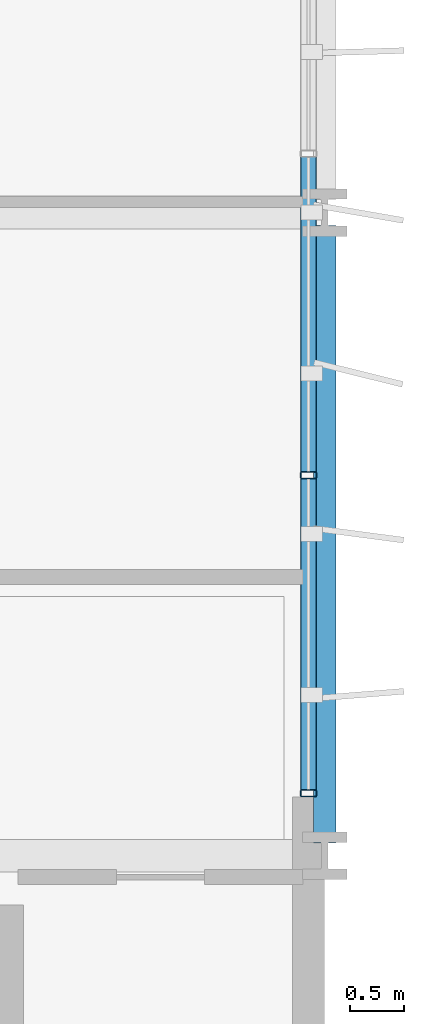
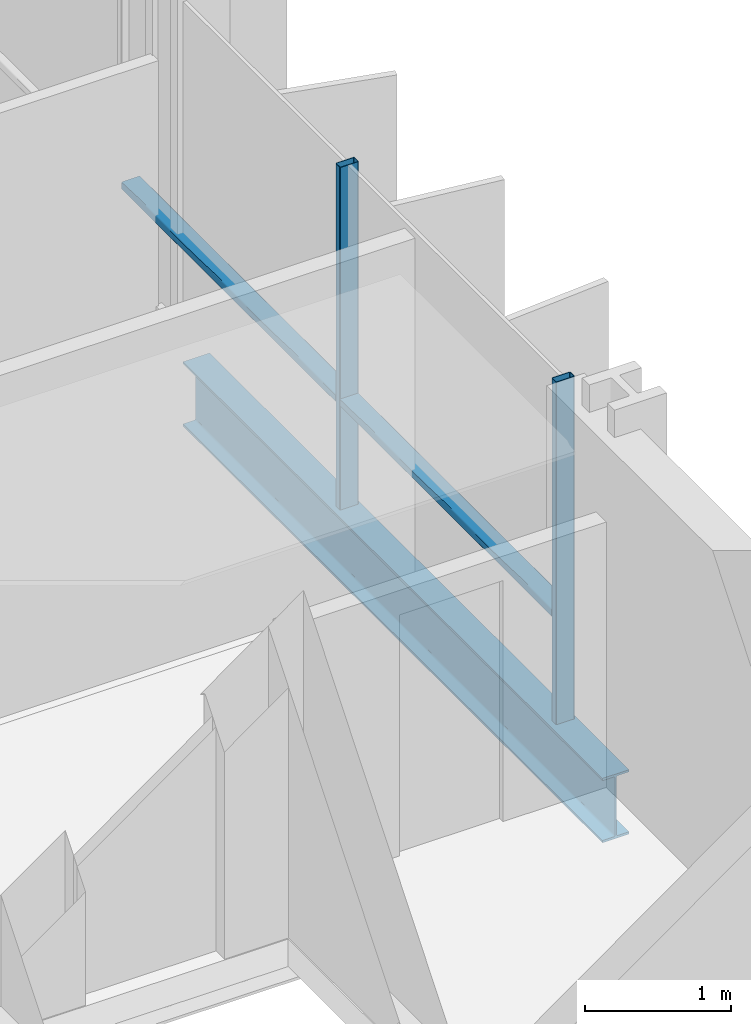
# One storey, part 15 of 38: 4 members, 1 beam, 1 element without a shape of its own.
"""IFC4 building model written with IfcOpenShell, lengths in metres."""

import ifcopenshell
import ifcopenshell.guid

model = None  # the IFC model being written
_history = None  # IfcOwnerHistory: only IFC2X3 demands one
_inside = {}  # id of a spatial element -> (the spatial element, [elements in it])
_under = {}  # id of a project, library or spatial element -> (it, [spatial elements below it])
_declared = {}  # id of a project -> (the project, [libraries it declares])
_typed = {}  # id of a type object -> (the type object, [elements of that type])
_made_of = {}  # id of a material, layer set ... -> (it, [elements and type objects made of it])


def new_model(schema):
    """Start an empty IFC model of exactly this schema.

    Asked for "IFC4X3", IfcOpenShell would pick the latest addendum, in which some entities
    have other attributes; the version numbers below select the first issue.
    IFC2X3 requires an IfcOwnerHistory on every rooted entity: one is made here for all.
    """
    global model, _history
    if schema == "IFC4X3":
        model = ifcopenshell.file(schema_version=(4, 3, 0, 0))
    else:
        model = ifcopenshell.file(schema=schema)
    _inside.clear()
    _under.clear()
    _declared.clear()
    _typed.clear()
    _made_of.clear()
    _history = None
    if model.schema == "IFC2X3":
        org = make("IfcOrganization", Name="unknown")
        user = make(
            "IfcPersonAndOrganization",
            ThePerson=make("IfcPerson", FamilyName="unknown"),
            TheOrganization=org,
        )
        app = make(
            "IfcApplication",
            ApplicationDeveloper=org,
            Version="unknown",
            ApplicationFullName="unknown",
            ApplicationIdentifier="unknown",
        )
        _history = make(
            "IfcOwnerHistory",
            OwningUser=user,
            OwningApplication=app,
            ChangeAction="ADDED",
            CreationDate=0,
        )
    return model


def make(cls, **values):
    """One entity of the class cls with the attributes given. An attribute that is None is left unset."""
    return model.create_entity(
        cls, **{name: value for name, value in values.items() if value is not None}
    )


def rooted(cls, **values):
    """An entity with a GlobalId (a new one), such as an element, a storey or a relation."""
    return make(cls, GlobalId=ifcopenshell.guid.new(), OwnerHistory=_history, **values)


def si_unit(unit_type, name, prefix=None):
    """IfcSIUnit, for example si_unit("LENGTHUNIT", "METRE", prefix="MILLI")."""
    return make("IfcSIUnit", UnitType=unit_type, Prefix=prefix, Name=name)


def assignment(units):
    """IfcUnitAssignment: the units of a project."""
    return None if units is None else make("IfcUnitAssignment", Units=units)


def point(xyz):
    """IfcCartesianPoint."""
    return None if xyz is None else make("IfcCartesianPoint", Coordinates=xyz)


def direction(xyz):
    """IfcDirection."""
    return None if xyz is None else make("IfcDirection", DirectionRatios=xyz)


def frame(location, z_axis=None, x_axis=None):
    """IfcAxis2Placement3D, a coordinate frame: its origin and axes. An axis left out is left unset."""
    return make(
        "IfcAxis2Placement3D",
        Location=point(location),
        Axis=direction(z_axis),
        RefDirection=direction(x_axis),
    )


def frame_2d(location, x_axis=None):
    """IfcAxis2Placement2D, a coordinate frame in the plane: its origin and x axis."""
    return make(
        "IfcAxis2Placement2D", Location=point(location), RefDirection=direction(x_axis)
    )


def origin():
    """The frame at (0, 0, 0) with its axes left unset."""
    return frame((0.0, 0.0, 0.0))


def origin_2d():
    """The frame at (0, 0) in the plane with its x axis left unset."""
    return frame_2d((0.0, 0.0))


def place(relative_to, where):
    """IfcLocalPlacement: puts the frame where relative to a parent placement (None: the world)."""
    return make(
        "IfcLocalPlacement", PlacementRelTo=relative_to, RelativePlacement=where
    )


def context(
    kind, dimensions, precision=None, world=None, true_north=None, identifier=None
):
    """IfcGeometricRepresentationContext, for example the 3D "Model" context."""
    return make(
        "IfcGeometricRepresentationContext",
        ContextIdentifier=identifier,
        ContextType=kind,
        CoordinateSpaceDimension=dimensions,
        Precision=precision,
        WorldCoordinateSystem=world,
        TrueNorth=true_north,
    )


def subcontext(parent, identifier, kind, view, scale=None):
    """IfcGeometricRepresentationSubContext, for example "Body" below "Model"."""
    return make(
        "IfcGeometricRepresentationSubContext",
        ContextIdentifier=identifier,
        ContextType=kind,
        ParentContext=parent,
        TargetScale=scale,
        TargetView=view,
    )


def project(units=None, contexts=None):
    """IfcProject with its units and contexts."""
    return rooted(
        "IfcProject",
        Name="project",
        RepresentationContexts=contexts,
        UnitsInContext=assignment(units),
    )


def spatial(cls, under=None, at=None, **own):
    """A site, building, storey or space (cls), placed at a placement, below another one or the project."""
    s = rooted(cls, ObjectPlacement=at, **own)
    if under is not None:
        _under.setdefault(under.id(), (under, []))[1].append(s)
    return s


def profile(cls, at=None, kind="AREA", **sizes):
    """A parametric profile (cls). Its sizes go by their IFC names, for example OverallWidth=200.0."""
    return make(cls, ProfileType=kind, Position=at, **sizes)


def hollow_rectangle(**sizes):
    """IfcRectangleHollowProfileDef."""
    return profile("IfcRectangleHollowProfileDef", **sizes)


def i_section(**sizes):
    """IfcIShapeProfileDef."""
    return profile("IfcIShapeProfileDef", **sizes)


def extrude(swept, where, along, depth):
    """IfcExtrudedAreaSolid: the profile swept, set in the frame where, extruded along a direction by depth."""
    return make(
        "IfcExtrudedAreaSolid",
        SweptArea=swept,
        Position=where,
        ExtrudedDirection=direction(along),
        Depth=depth,
    )


def shape(context_of_items, identifier, shape_type, items):
    """IfcShapeRepresentation: the items that make up one representation, for example the "Body"."""
    return make(
        "IfcShapeRepresentation",
        ContextOfItems=context_of_items,
        RepresentationIdentifier=identifier,
        RepresentationType=shape_type,
        Items=items,
    )


def material(Name=None, Category=None):
    """IfcMaterial."""
    return make("IfcMaterial", Name=Name, Category=Category)


def layer(
    of_material, thickness, ventilated=None, Name=None, Category=None, Priority=None
):
    """IfcMaterialLayer: one layer of a wall or slab, of a material (None: an air gap)."""
    return make(
        "IfcMaterialLayer",
        Material=of_material,
        LayerThickness=thickness,
        IsVentilated=ventilated,
        Name=Name,
        Category=Category,
        Priority=Priority,
    )


def layer_set(layers, Name=None):
    """IfcMaterialLayerSet."""
    return make("IfcMaterialLayerSet", MaterialLayers=layers, LayerSetName=Name)


def material_profile(
    of_material, cross_section, Name=None, Category=None, Priority=None
):
    """IfcMaterialProfile: a cross section and its material."""
    return make(
        "IfcMaterialProfile",
        Name=Name,
        Material=of_material,
        Profile=cross_section,
        Priority=Priority,
        Category=Category,
    )


def profile_set(profiles, Name=None, composite=None):
    """IfcMaterialProfileSet."""
    return make(
        "IfcMaterialProfileSet",
        Name=Name,
        MaterialProfiles=profiles,
        CompositeProfile=composite,
    )


def made_of(thing, what):
    """Note that an element or type object is made of a material, layer set ...; save() writes the relation."""
    if what is not None:
        _made_of.setdefault(what.id(), (what, []))[1].append(thing)
    return thing


def type_object(cls, material=None, **own):
    """A type object (cls), such as IfcWallType, which elements share."""
    return made_of(rooted(cls, **own), material)


def element(
    cls,
    number,
    at=None,
    inside=None,
    cuts=None,
    type_object=None,
    material=None,
    context=None,
    identifier="Body",
    shape_type=None,
    held_by="IfcProductDefinitionShape",
    body=None,
    shapes=None,
    **own,
):
    """One element of the class cls, such as IfcWall. Its Tag is "e" and its number.

    at: its placement. inside: the storey or other place that contains it. cuts: it is an
    opening in that element (IfcRelVoidsElement). A single representation is given by context,
    identifier, shape_type and body (its items); several are given by shapes. held_by: the class
    of the entity that holds the representations. save() writes the other relations.
    """
    e = rooted(cls, Tag="e%d" % number, ObjectPlacement=at, **own)
    if body is not None:
        shapes = [shape(context, identifier, shape_type, body)]
    if shapes is not None:
        e.Representation = make(held_by, Representations=shapes)
    if inside is not None:
        _inside.setdefault(inside.id(), (inside, []))[1].append(e)
    if cuts is not None:
        rooted(
            "IfcRelVoidsElement", RelatingBuildingElement=cuts, RelatedOpeningElement=e
        )
    if type_object is not None:
        _typed.setdefault(type_object.id(), (type_object, []))[1].append(e)
    return made_of(e, material)


def aggregate(whole, parts):
    """IfcRelAggregates: a whole, such as a stair, and the parts it consists of."""
    return rooted("IfcRelAggregates", RelatingObject=whole, RelatedObjects=parts)


def save(model, path):
    """Write the relations noted so far, then the file.

    IfcRelAggregates (storeys below a building ...), IfcRelContainedInSpatialStructure (elements
    in a storey), IfcRelDefinesByType, IfcRelAssociatesMaterial and IfcRelDeclares: one each for
    every whole, place, type object, material and project.
    """
    for whole, parts in _under.values():
        aggregate(whole, parts)
    for where, things in _inside.values():
        rooted(
            "IfcRelContainedInSpatialStructure",
            RelatedElements=things,
            RelatingStructure=where,
        )
    for kind, things in _typed.values():
        rooted("IfcRelDefinesByType", RelatedObjects=things, RelatingType=kind)
    for what, things in _made_of.values():
        rooted("IfcRelAssociatesMaterial", RelatedObjects=things, RelatingMaterial=what)
    for by, libraries in _declared.values():
        rooted("IfcRelDeclares", RelatingContext=by, RelatedDefinitions=libraries)
    model.write(path)


model = new_model("IFC4")

# Units and contexts
model_context = context("Model", 3, precision=1e-05, world=origin(), true_north=direction((0.0, 1.0)))
body_context = subcontext(model_context, "Body", "Model", "MODEL_VIEW")
ifc_project = project(units=[si_unit("LENGTHUNIT", "METRE"), si_unit("AREAUNIT", "SQUARE_METRE"), si_unit("VOLUMEUNIT", "CUBIC_METRE"), si_unit("PLANEANGLEUNIT", "RADIAN"), si_unit("MASSUNIT", "GRAM", prefix="KILO")], contexts=[model_context])

# Site, building, storey
site_placement = place(None, origin())
site = spatial("IfcSite", under=ifc_project, at=site_placement, CompositionType="ELEMENT")
building_placement = place(site_placement, origin())
building = spatial("IfcBuilding", under=site, at=building_placement, Name="Brevholm Reach", CompositionType="ELEMENT")
storey_placement = place(building_placement, frame((0.0, 0.0, 59.0)))
storey = spatial("IfcBuildingStorey", under=building, at=storey_placement, Name="L16", CompositionType="ELEMENT", Elevation=59.0)

# Beam
ifc_material_1 = material(Name="Structural Steel S355J2", Category="steel")
ifc_material_profile_1 = material_profile(ifc_material_1, i_section(OverallWidth=0.210693359375, OverallDepth=0.53955078125, WebThickness=0.01171875, FlangeThickness=0.018798828125, FilletRadius=0.0126953125, at=origin_2d()), Name="UKB 533x210x109")
ifc_profile_set_1 = profile_set([ifc_material_profile_1], Name="Structural Steel S355J2")
beam_type = type_object("IfcBeamType", Name="BM-SP539", PredefinedType="SPANDREL", material=ifc_profile_set_1)
beam_placement = place(storey_placement, frame((60.0, 10.1201171875, -0.499755859375), z_axis=(0.0, 1.0, 0.0), x_axis=(-1.0, 0.0, 0.0)))
element("IfcBeam", 1, at=beam_placement, inside=storey, type_object=beam_type, Name="L16 SP-01B Framing Beam", PredefinedType="SPANDREL", context=body_context, shape_type="SweptSolid", body=[
    extrude(i_section(OverallWidth=0.210693359375, OverallDepth=0.53955078125, WebThickness=0.01171875, FlangeThickness=0.018798828125, FilletRadius=0.0126953125, at=origin_2d()), origin(), (0.0, 0.0, 1.0), 5.759765625),
])

# Curtain wall, members
ifc_material_2 = material(Name="Dark Anodised Aluminium 6063-T6 and Solar-Control Glass", Category="aluminium")
ifc_layer = layer(ifc_material_2, 0.14990234375)
ifc_layer_set = layer_set([ifc_layer], Name="Dark Anodised Aluminium 6063-T6 and Solar-Control Glass")
curtain_wall_type = type_object("IfcCurtainWallType", Name="CW-01", PredefinedType="NOTDEFINED", material=ifc_layer_set)
curtain_wall_placement = place(storey_placement, origin())
curtain_wall = element("IfcCurtainWall", 2, at=curtain_wall_placement, inside=storey, type_object=curtain_wall_type, Name="L16 Curtain Wall CW-01", PredefinedType="NOTDEFINED")
ifc_material_3 = material(Name="Dark Anodised Aluminium 6063-T6", Category="aluminium")
ifc_material_profile_2 = material_profile(ifc_material_3, hollow_rectangle(XDim=0.06494140625, YDim=0.14990234375, WallThickness=0.0048828125, InnerFilletRadius=0.0048828125, OuterFilletRadius=0.010009765625, at=origin_2d()), Name="RHS 150x65x5")
ifc_profile_set_2 = profile_set([ifc_material_profile_2], Name="Dark Anodised Aluminium 6063-T6")
member_type_1 = type_object("IfcMemberType", Name="CWM-150", PredefinedType="MULLION", material=ifc_profile_set_2)
member_1_placement = place(storey_placement, frame((59.85009765625, 10.58251953125, 0.0), z_axis=(0.0, 0.0, 1.0), x_axis=(0.0, 1.0, 0.0)))
member_1 = element("IfcMember", 3, at=member_1_placement, type_object=member_type_1, Name="CM-150 Mullion 1", PredefinedType="MULLION", context=body_context, shape_type="SweptSolid", body=[
    extrude(hollow_rectangle(XDim=0.06494140625, YDim=0.14990234375, WallThickness=0.0048828125, InnerFilletRadius=0.0048828125, OuterFilletRadius=0.010009765625, at=origin_2d()), origin(), (0.0, 0.0, 1.0), 2.8701171875),
])
member_2_placement = place(storey_placement, frame((59.85009765625, 13.550048828125, 0.0), z_axis=(0.0, 0.0, 1.0), x_axis=(0.0, 1.0, 0.0)))
member_2 = element("IfcMember", 4, at=member_2_placement, type_object=member_type_1, Name="CM-150 Mullion 2", PredefinedType="MULLION", context=body_context, shape_type="SweptSolid", body=[
    extrude(hollow_rectangle(XDim=0.06494140625, YDim=0.14990234375, WallThickness=0.0048828125, InnerFilletRadius=0.0048828125, OuterFilletRadius=0.010009765625, at=origin_2d()), origin(), (0.0, 0.0, 1.0), 2.8701171875),
])
ifc_material_4 = material(Name="Dark Anodised Aluminium 6063-T6", Category="aluminium")
ifc_material_profile_3 = material_profile(ifc_material_4, hollow_rectangle(XDim=0.06494140625, YDim=0.14990234375, WallThickness=0.0048828125, InnerFilletRadius=0.0048828125, OuterFilletRadius=0.010009765625, at=origin_2d()), Name="RHS 150x65x5")
ifc_profile_set_3 = profile_set([ifc_material_profile_3], Name="Dark Anodised Aluminium 6063-T6")
member_type_2 = type_object("IfcMemberType", Name="CWT-150", PredefinedType="NOTDEFINED", material=ifc_profile_set_3)
member_3_placement = place(storey_placement, frame((59.85009765625, 10.614990234375, 0.89990234375), z_axis=(0.0, 1.0, 0.0), x_axis=(0.0, 0.0, 1.0)))
member_3 = element("IfcMember", 5, at=member_3_placement, type_object=member_type_2, Name="CT-150 Transom 1.1", ObjectType="TRANSOM", PredefinedType="USERDEFINED", context=body_context, shape_type="SweptSolid", body=[
    extrude(hollow_rectangle(XDim=0.06494140625, YDim=0.14990234375, WallThickness=0.0048828125, InnerFilletRadius=0.0048828125, OuterFilletRadius=0.010009765625, at=origin_2d()), origin(), (0.0, 0.0, 1.0), 2.902587890625),
])
member_4_placement = place(storey_placement, frame((59.85009765625, 13.58251953125, 0.89990234375), z_axis=(0.0, 1.0, 0.0), x_axis=(0.0, 0.0, 1.0)))
member_4 = element("IfcMember", 6, at=member_4_placement, type_object=member_type_2, Name="CT-150 Transom 2.1", ObjectType="TRANSOM", PredefinedType="USERDEFINED", context=body_context, shape_type="SweptSolid", body=[
    extrude(hollow_rectangle(XDim=0.06494140625, YDim=0.14990234375, WallThickness=0.0048828125, InnerFilletRadius=0.0048828125, OuterFilletRadius=0.010009765625, at=origin_2d()), origin(), (0.0, 0.0, 1.0), 2.93505859375),
])
aggregate(curtain_wall, [member_1, member_2, member_3, member_4])

save(model, "model.ifc")
